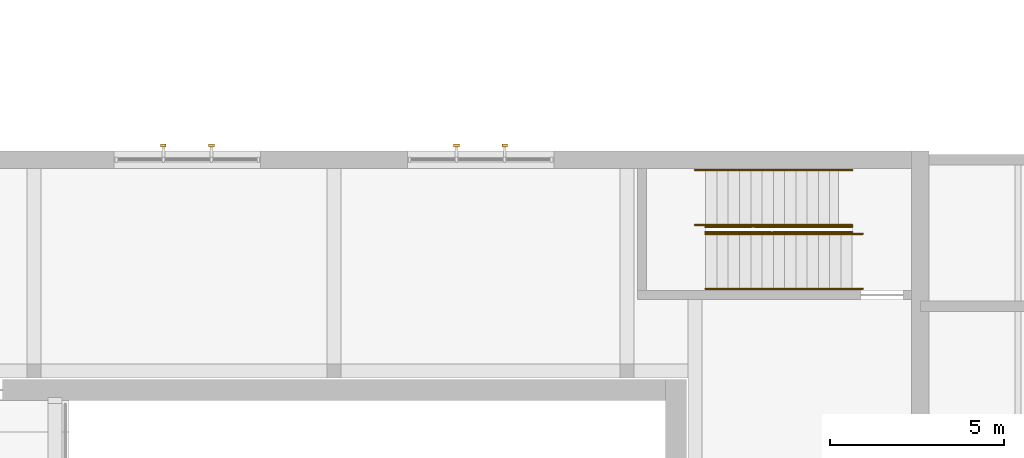
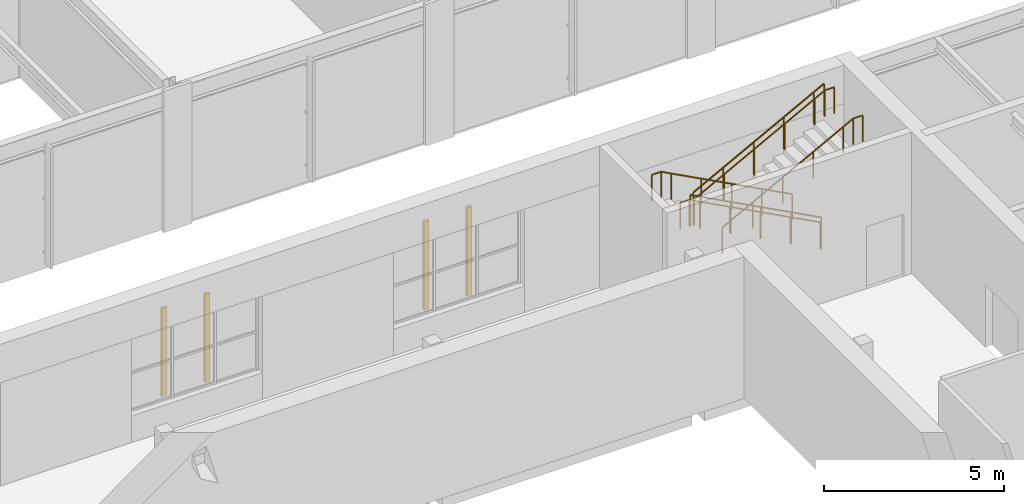
# One storey, part 123 of 127: 6 railings, 4 shading devices.
"""IFC4 building model written with IfcOpenShell, lengths in metres."""

from ifc_helpers import new_model, si_unit, direction, frame, origin, origin_2d, place, context, subcontext, project, spatial, rectangle, circle, extrude, material, type_object, element, save


model = new_model("IFC4")

# Units and contexts
model_context = context("Model", 3, precision=1e-05, world=origin(), true_north=direction((0.0, 1.0)))
body_context = subcontext(model_context, "Body", "Model", "MODEL_VIEW")
ifc_project = project(units=[si_unit("LENGTHUNIT", "METRE"), si_unit("AREAUNIT", "SQUARE_METRE"), si_unit("VOLUMEUNIT", "CUBIC_METRE"), si_unit("PLANEANGLEUNIT", "RADIAN"), si_unit("MASSUNIT", "GRAM", prefix="KILO")], contexts=[model_context])

# Site, building, storey
site_placement = place(None, origin())
site = spatial("IfcSite", under=ifc_project, at=site_placement, CompositionType="ELEMENT")
building_placement = place(site_placement, origin())
building = spatial("IfcBuilding", under=site, at=building_placement, Name="Ljudholm Concert House", CompositionType="ELEMENT")
storey_placement = place(building_placement, frame((0.0, 0.0, 5.39990234375)))
storey = spatial("IfcBuildingStorey", under=building, at=storey_placement, Name="L01", CompositionType="ELEMENT", Elevation=5.39990234375)

# Shading devices
ifc_material_1 = material(Name="Aluminium extrusion with timber-grain PVDF finish", Category="aluminium")
shading_device_type = type_object("IfcShadingDeviceType", Name="FACADE FIN 80x160", PredefinedType="SHUTTER", material=ifc_material_1)
for number, where, z_axis, x_axis, name in (
    (1, (74.7099609375, 96.81005859375, 0.7001953125), (0.0, 0.0, 1.0), (0.0, 1.0, 0.0), "Facade fin"),
    (2, (76.090087890625, 96.81005859375, 0.7001953125), (0.0, 0.0, 1.0), (0.0, 1.0, 0.0), "Facade fin"),
    (3, (83.110107421875, 96.81005859375, 0.7001953125), (0.0, 0.0, 1.0), (0.0, 1.0, 0.0), "Facade fin"),
    (4, (84.489990234375, 96.81005859375, 0.7001953125), (0.0, 0.0, 1.0), (0.0, 1.0, 0.0), "Facade fin"),
):
    element("IfcShadingDevice", number, at=place(storey_placement, frame(where, z_axis=z_axis, x_axis=x_axis)), inside=storey, type_object=shading_device_type, Name=name, PredefinedType="SHUTTER", context=body_context, shape_type="SweptSolid", body=[
        extrude(rectangle(XDim=0.080078125, YDim=0.159912109375, at=origin_2d()), origin(), (0.0, 0.0, 1.0), 3.0),
    ])

# Railings
ifc_material_2 = material(Name="Steel ASTM A36", Category="steel")
railing_type_1 = type_object("IfcRailingType", Name="GUARD 1100", PredefinedType="GUARDRAIL", material=ifc_material_2)
railing_1_placement = place(storey_placement, frame((94.449951171875, 94.47509765625, 0.171630859375)))
element("IfcRailing", 5, at=railing_1_placement, inside=storey, type_object=railing_type_1, Name="Guard", PredefinedType="GUARDRAIL", context=body_context, shape_type="SweptSolid", body=[
    extrude(circle(Radius=0.02490234375, at=origin_2d()), frame((0.0, 0.0, 1.0751953125), z_axis=(-0.883397901953, 0.0, 0.468623672925), x_axis=(0.0, -1.0, 0.0)), (0.0, 0.0, 1.0), 1.09716796875),
    extrude(circle(Radius=0.02490234375, at=origin_2d()), frame((-0.96923828125, 0.0, 1.58935546875), z_axis=(-0.883305776083, 0.0, 0.468797297281), x_axis=(0.0, -1.0, 0.0)), (0.0, 0.0, 1.0), 1.09716796875),
    extrude(circle(Radius=0.02490234375, at=origin_2d()), frame((-1.9384765625, 0.0, 2.103515625), z_axis=(-0.883397901953, 0.0, 0.468623672925), x_axis=(0.0, -1.0, 0.0)), (0.0, 0.0, 1.0), 1.09716796875),
    extrude(circle(Radius=0.02490234375, at=origin_2d()), frame((-2.90771484375, 0.0, 2.61767578125), z_axis=(-0.883305776083, 0.0, 0.468797297281), x_axis=(0.0, -1.0, 0.0)), (0.0, 0.0, 1.0), 1.09716796875),
    extrude(circle(Radius=0.02490234375, at=origin_2d()), frame((-3.876953125, 0.0, 3.13232421875), z_axis=(-0.883349020695, 0.0, 0.468715806899), x_axis=(0.0, -1.0, 0.0)), (0.0, 0.0, 1.0), 0.36572265625),
    extrude(circle(Radius=0.02099609375, at=origin_2d()), origin(), (0.0, 0.0, 1.0), 1.050048828125),
    extrude(circle(Radius=0.02099609375, at=origin_2d()), frame((-0.96923828125, 0.0, 0.51416015625)), (0.0, 0.0, 1.0), 1.050048828125),
    extrude(circle(Radius=0.02099609375, at=origin_2d()), frame((-1.9384765625, 0.0, 1.028564453125)), (0.0, 0.0, 1.0), 1.050048828125),
    extrude(circle(Radius=0.02099609375, at=origin_2d()), frame((-2.90771484375, 0.0, 1.542724609375)), (0.0, 0.0, 1.0), 1.050048828125),
    extrude(circle(Radius=0.02099609375, at=origin_2d()), frame((-3.876953125, 0.0, 2.05712890625)), (0.0, 0.0, 1.0), 1.050048828125),
    extrude(circle(Radius=0.02099609375, at=origin_2d()), frame((-4.199951171875, 0.0, 2.228515625)), (0.0, 0.0, 1.0), 1.050048828125),
])
railing_2_placement = place(storey_placement, frame((90.25, 94.324951171875, 2.571533203125)))
element("IfcRailing", 6, at=railing_2_placement, inside=storey, type_object=railing_type_1, Name="Guard", PredefinedType="GUARDRAIL", context=body_context, shape_type="SweptSolid", body=[
    extrude(circle(Radius=0.02490234375, at=origin_2d()), frame((0.0, 0.0, 1.0751953125), z_axis=(0.883397901953, 0.0, 0.468623672925), x_axis=(0.0, 1.0, 0.0)), (0.0, 0.0, 1.0), 1.09716796875),
    extrude(circle(Radius=0.02490234375, at=origin_2d()), frame((0.96923828125, 0.0, 1.58935546875), z_axis=(0.883305776083, 0.0, 0.468797297281), x_axis=(0.0, 1.0, 0.0)), (0.0, 0.0, 1.0), 1.09716796875),
    extrude(circle(Radius=0.02490234375, at=origin_2d()), frame((1.9384765625, 0.0, 2.103515625), z_axis=(0.883305776083, 0.0, 0.468797297281), x_axis=(0.0, 1.0, 0.0)), (0.0, 0.0, 1.0), 1.09716796875),
    extrude(circle(Radius=0.02490234375, at=origin_2d()), frame((2.90771484375, 0.0, 2.6181640625), z_axis=(0.883397901953, 0.0, 0.468623672925), x_axis=(0.0, 1.0, 0.0)), (0.0, 0.0, 1.0), 1.09716796875),
    extrude(circle(Radius=0.02490234375, at=origin_2d()), frame((3.876953125, 0.0, 3.13232421875), z_axis=(0.883349020695, 0.0, 0.468715806899), x_axis=(0.0, 1.0, 0.0)), (0.0, 0.0, 1.0), 0.36572265625),
    extrude(circle(Radius=0.02099609375, at=origin_2d()), origin(), (0.0, 0.0, 1.0), 1.050048828125),
    extrude(circle(Radius=0.02099609375, at=origin_2d()), frame((0.96923828125, 0.0, 0.51416015625)), (0.0, 0.0, 1.0), 1.050048828125),
    extrude(circle(Radius=0.02099609375, at=origin_2d()), frame((1.9384765625, 0.0, 1.028564453125)), (0.0, 0.0, 1.0), 1.050048828125),
    extrude(circle(Radius=0.02099609375, at=origin_2d()), frame((2.90771484375, 0.0, 1.54296875)), (0.0, 0.0, 1.0), 1.050048828125),
    extrude(circle(Radius=0.02099609375, at=origin_2d()), frame((3.876953125, 0.0, 2.05712890625)), (0.0, 0.0, 1.0), 1.050048828125),
    extrude(circle(Radius=0.02099609375, at=origin_2d()), frame((4.199951171875, 0.0, 2.228515625)), (0.0, 0.0, 1.0), 1.050048828125),
])
ifc_material_3 = material(Name="Steel ASTM A36", Category="steel")
railing_type_2 = type_object("IfcRailingType", Name="HANDRAIL 900", PredefinedType="HANDRAIL", material=ifc_material_3)
railing_3_placement = place(storey_placement, frame((94.449951171875, 94.52490234375, 0.171630859375)))
element("IfcRailing", 7, at=railing_3_placement, inside=storey, type_object=railing_type_2, Name="Handrail", PredefinedType="HANDRAIL", context=body_context, shape_type="SweptSolid", body=[
    extrude(circle(Radius=0.0224609375, at=origin_2d()), frame((0.0, 0.0, 0.87744140625), z_axis=(-0.883397901953, 0.0, 0.468623672925), x_axis=(0.0, -1.0, 0.0)), (0.0, 0.0, 1.0), 1.09716796875),
    extrude(circle(Radius=0.0224609375, at=origin_2d()), frame((-0.96923828125, 0.0, 1.3916015625), z_axis=(-0.883305776083, 0.0, 0.468797297281), x_axis=(0.0, -1.0, 0.0)), (0.0, 0.0, 1.0), 1.09716796875),
    extrude(circle(Radius=0.0224609375, at=origin_2d()), frame((-1.9384765625, 0.0, 1.906005859375), z_axis=(-0.883397901953, 0.0, 0.468623672925), x_axis=(0.0, -1.0, 0.0)), (0.0, 0.0, 1.0), 1.09716796875),
    extrude(circle(Radius=0.0224609375, at=origin_2d()), frame((-2.90771484375, 0.0, 2.420166015625), z_axis=(-0.883305776083, 0.0, 0.468797297281), x_axis=(0.0, -1.0, 0.0)), (0.0, 0.0, 1.0), 1.09716796875),
    extrude(circle(Radius=0.0224609375, at=origin_2d()), frame((-3.876953125, 0.0, 2.9345703125), z_axis=(-0.883349020695, 0.0, 0.468715806899), x_axis=(0.0, -1.0, 0.0)), (0.0, 0.0, 1.0), 0.36572265625),
    extrude(circle(Radius=0.0224609375, at=origin_2d()), frame((-4.199951171875, 0.0, 3.10595703125), z_axis=(-1.0, 0.0, 0.0), x_axis=(0.0, -1.0, 0.0)), (0.0, 0.0, 1.0), 0.300048828125),
    extrude(circle(Radius=0.02099609375, at=origin_2d()), origin(), (0.0, 0.0, 1.0), 0.85498046875),
    extrude(circle(Radius=0.02099609375, at=origin_2d()), frame((-0.96923828125, 0.0, 0.51416015625)), (0.0, 0.0, 1.0), 0.85498046875),
    extrude(circle(Radius=0.02099609375, at=origin_2d()), frame((-1.9384765625, 0.0, 1.028564453125)), (0.0, 0.0, 1.0), 0.85498046875),
    extrude(circle(Radius=0.02099609375, at=origin_2d()), frame((-2.90771484375, 0.0, 1.542724609375)), (0.0, 0.0, 1.0), 0.85498046875),
    extrude(circle(Radius=0.02099609375, at=origin_2d()), frame((-3.876953125, 0.0, 2.05712890625)), (0.0, 0.0, 1.0), 0.85498046875),
    extrude(circle(Radius=0.02099609375, at=origin_2d()), frame((-4.199951171875, 0.0, 2.228515625)), (0.0, 0.0, 1.0), 0.85498046875),
    extrude(circle(Radius=0.02099609375, at=origin_2d()), frame((-4.5, 0.0, 2.228515625)), (0.0, 0.0, 1.0), 0.85498046875),
])
railing_4_placement = place(storey_placement, frame((94.449951171875, 96.10009765625, 0.171630859375)))
element("IfcRailing", 8, at=railing_4_placement, inside=storey, type_object=railing_type_2, Name="Handrail", PredefinedType="HANDRAIL", context=body_context, shape_type="SweptSolid", body=[
    extrude(circle(Radius=0.0224609375, at=origin_2d()), frame((0.0, 0.0, 0.87744140625), z_axis=(-0.883397901953, 0.0, 0.468623672925), x_axis=(0.0, -1.0, 0.0)), (0.0, 0.0, 1.0), 1.09716796875),
    extrude(circle(Radius=0.0224609375, at=origin_2d()), frame((-0.96923828125, 0.0, 1.3916015625), z_axis=(-0.883305776083, 0.0, 0.468797297281), x_axis=(0.0, -1.0, 0.0)), (0.0, 0.0, 1.0), 1.09716796875),
    extrude(circle(Radius=0.0224609375, at=origin_2d()), frame((-1.9384765625, 0.0, 1.906005859375), z_axis=(-0.883397901953, 0.0, 0.468623672925), x_axis=(0.0, -1.0, 0.0)), (0.0, 0.0, 1.0), 1.09716796875),
    extrude(circle(Radius=0.0224609375, at=origin_2d()), frame((-2.90771484375, 0.0, 2.420166015625), z_axis=(-0.883305776083, 0.0, 0.468797297281), x_axis=(0.0, -1.0, 0.0)), (0.0, 0.0, 1.0), 1.09716796875),
    extrude(circle(Radius=0.0224609375, at=origin_2d()), frame((-3.876953125, 0.0, 2.9345703125), z_axis=(-0.883349020695, 0.0, 0.468715806899), x_axis=(0.0, -1.0, 0.0)), (0.0, 0.0, 1.0), 0.36572265625),
    extrude(circle(Radius=0.0224609375, at=origin_2d()), frame((-4.199951171875, 0.0, 3.10595703125), z_axis=(-1.0, 0.0, 0.0), x_axis=(0.0, -1.0, 0.0)), (0.0, 0.0, 1.0), 0.300048828125),
    extrude(circle(Radius=0.02099609375, at=origin_2d()), origin(), (0.0, 0.0, 1.0), 0.85498046875),
    extrude(circle(Radius=0.02099609375, at=origin_2d()), frame((-0.96923828125, 0.0, 0.51416015625)), (0.0, 0.0, 1.0), 0.85498046875),
    extrude(circle(Radius=0.02099609375, at=origin_2d()), frame((-1.9384765625, 0.0, 1.028564453125)), (0.0, 0.0, 1.0), 0.85498046875),
    extrude(circle(Radius=0.02099609375, at=origin_2d()), frame((-2.90771484375, 0.0, 1.542724609375)), (0.0, 0.0, 1.0), 0.85498046875),
    extrude(circle(Radius=0.02099609375, at=origin_2d()), frame((-3.876953125, 0.0, 2.05712890625)), (0.0, 0.0, 1.0), 0.85498046875),
    extrude(circle(Radius=0.02099609375, at=origin_2d()), frame((-4.199951171875, 0.0, 2.228515625)), (0.0, 0.0, 1.0), 0.85498046875),
    extrude(circle(Radius=0.02099609375, at=origin_2d()), frame((-4.5, 0.0, 2.228515625)), (0.0, 0.0, 1.0), 0.85498046875),
])
railing_5_placement = place(storey_placement, frame((90.25, 94.27490234375, 2.571533203125)))
element("IfcRailing", 9, at=railing_5_placement, inside=storey, type_object=railing_type_2, Name="Handrail", PredefinedType="HANDRAIL", context=body_context, shape_type="SweptSolid", body=[
    extrude(circle(Radius=0.0224609375, at=origin_2d()), frame((0.0, 0.0, 0.87744140625), z_axis=(0.883397901953, 0.0, 0.468623672925), x_axis=(0.0, 1.0, 0.0)), (0.0, 0.0, 1.0), 1.09716796875),
    extrude(circle(Radius=0.0224609375, at=origin_2d()), frame((0.96923828125, 0.0, 1.3916015625), z_axis=(0.883305776083, 0.0, 0.468797297281), x_axis=(0.0, 1.0, 0.0)), (0.0, 0.0, 1.0), 1.09716796875),
    extrude(circle(Radius=0.0224609375, at=origin_2d()), frame((1.9384765625, 0.0, 1.906005859375), z_axis=(0.883305776083, 0.0, 0.468797297281), x_axis=(0.0, 1.0, 0.0)), (0.0, 0.0, 1.0), 1.09716796875),
    extrude(circle(Radius=0.0224609375, at=origin_2d()), frame((2.90771484375, 0.0, 2.42041015625), z_axis=(0.883397901953, 0.0, 0.468623672925), x_axis=(0.0, 1.0, 0.0)), (0.0, 0.0, 1.0), 1.09716796875),
    extrude(circle(Radius=0.0224609375, at=origin_2d()), frame((3.876953125, 0.0, 2.9345703125), z_axis=(0.883349020695, 0.0, 0.468715806899), x_axis=(0.0, 1.0, 0.0)), (0.0, 0.0, 1.0), 0.36572265625),
    extrude(circle(Radius=0.0224609375, at=origin_2d()), frame((4.199951171875, 0.0, 3.10595703125), z_axis=(1.0, 0.0, 0.0), x_axis=(0.0, 1.0, 0.0)), (0.0, 0.0, 1.0), 0.300048828125),
    extrude(circle(Radius=0.02099609375, at=origin_2d()), origin(), (0.0, 0.0, 1.0), 0.85498046875),
    extrude(circle(Radius=0.02099609375, at=origin_2d()), frame((0.96923828125, 0.0, 0.51416015625)), (0.0, 0.0, 1.0), 0.85498046875),
    extrude(circle(Radius=0.02099609375, at=origin_2d()), frame((1.9384765625, 0.0, 1.028564453125)), (0.0, 0.0, 1.0), 0.85498046875),
    extrude(circle(Radius=0.02099609375, at=origin_2d()), frame((2.90771484375, 0.0, 1.54296875)), (0.0, 0.0, 1.0), 0.85498046875),
    extrude(circle(Radius=0.02099609375, at=origin_2d()), frame((3.876953125, 0.0, 2.05712890625)), (0.0, 0.0, 1.0), 0.85498046875),
    extrude(circle(Radius=0.02099609375, at=origin_2d()), frame((4.199951171875, 0.0, 2.228515625)), (0.0, 0.0, 1.0), 0.85498046875),
    extrude(circle(Radius=0.02099609375, at=origin_2d()), frame((4.5, 0.0, 2.228515625)), (0.0, 0.0, 1.0), 0.85498046875),
])
railing_6_placement = place(storey_placement, frame((90.25, 92.699951171875, 2.571533203125)))
element("IfcRailing", 10, at=railing_6_placement, inside=storey, type_object=railing_type_2, Name="Handrail", PredefinedType="HANDRAIL", context=body_context, shape_type="SweptSolid", body=[
    extrude(circle(Radius=0.0224609375, at=origin_2d()), frame((0.0, 0.0, 0.87744140625), z_axis=(0.883397901953, 0.0, 0.468623672925), x_axis=(0.0, 1.0, 0.0)), (0.0, 0.0, 1.0), 1.09716796875),
    extrude(circle(Radius=0.0224609375, at=origin_2d()), frame((0.96923828125, 0.0, 1.3916015625), z_axis=(0.883305776083, 0.0, 0.468797297281), x_axis=(0.0, 1.0, 0.0)), (0.0, 0.0, 1.0), 1.09716796875),
    extrude(circle(Radius=0.0224609375, at=origin_2d()), frame((1.9384765625, 0.0, 1.906005859375), z_axis=(0.883305776083, 0.0, 0.468797297281), x_axis=(0.0, 1.0, 0.0)), (0.0, 0.0, 1.0), 1.09716796875),
    extrude(circle(Radius=0.0224609375, at=origin_2d()), frame((2.90771484375, 0.0, 2.42041015625), z_axis=(0.883397901953, 0.0, 0.468623672925), x_axis=(0.0, 1.0, 0.0)), (0.0, 0.0, 1.0), 1.09716796875),
    extrude(circle(Radius=0.0224609375, at=origin_2d()), frame((3.876953125, 0.0, 2.9345703125), z_axis=(0.883349020695, 0.0, 0.468715806899), x_axis=(0.0, 1.0, 0.0)), (0.0, 0.0, 1.0), 0.36572265625),
    extrude(circle(Radius=0.0224609375, at=origin_2d()), frame((4.199951171875, 0.0, 3.10595703125), z_axis=(1.0, 0.0, 0.0), x_axis=(0.0, 1.0, 0.0)), (0.0, 0.0, 1.0), 0.300048828125),
    extrude(circle(Radius=0.02099609375, at=origin_2d()), origin(), (0.0, 0.0, 1.0), 0.85498046875),
    extrude(circle(Radius=0.02099609375, at=origin_2d()), frame((0.96923828125, 0.0, 0.51416015625)), (0.0, 0.0, 1.0), 0.85498046875),
    extrude(circle(Radius=0.02099609375, at=origin_2d()), frame((1.9384765625, 0.0, 1.028564453125)), (0.0, 0.0, 1.0), 0.85498046875),
    extrude(circle(Radius=0.02099609375, at=origin_2d()), frame((2.90771484375, 0.0, 1.54296875)), (0.0, 0.0, 1.0), 0.85498046875),
    extrude(circle(Radius=0.02099609375, at=origin_2d()), frame((3.876953125, 0.0, 2.05712890625)), (0.0, 0.0, 1.0), 0.85498046875),
    extrude(circle(Radius=0.02099609375, at=origin_2d()), frame((4.199951171875, 0.0, 2.228515625)), (0.0, 0.0, 1.0), 0.85498046875),
    extrude(circle(Radius=0.02099609375, at=origin_2d()), frame((4.5, 0.0, 2.228515625)), (0.0, 0.0, 1.0), 0.85498046875),
])

save(model, "model.ifc")
